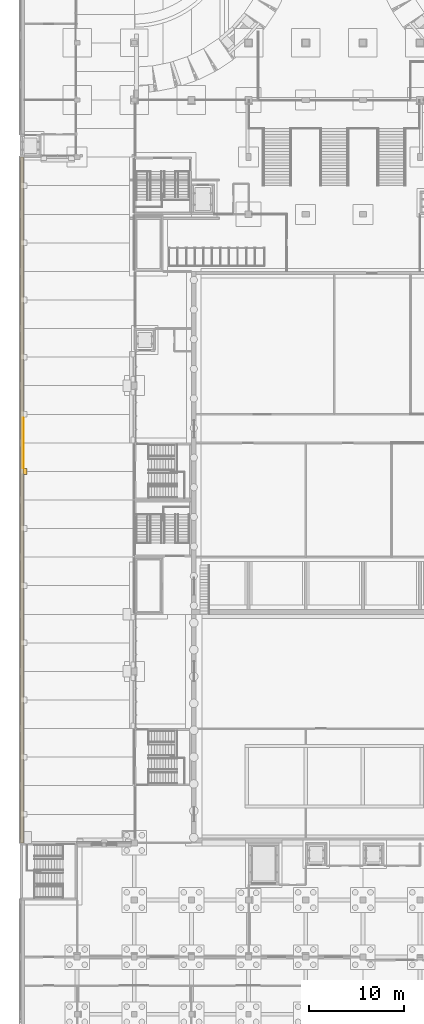
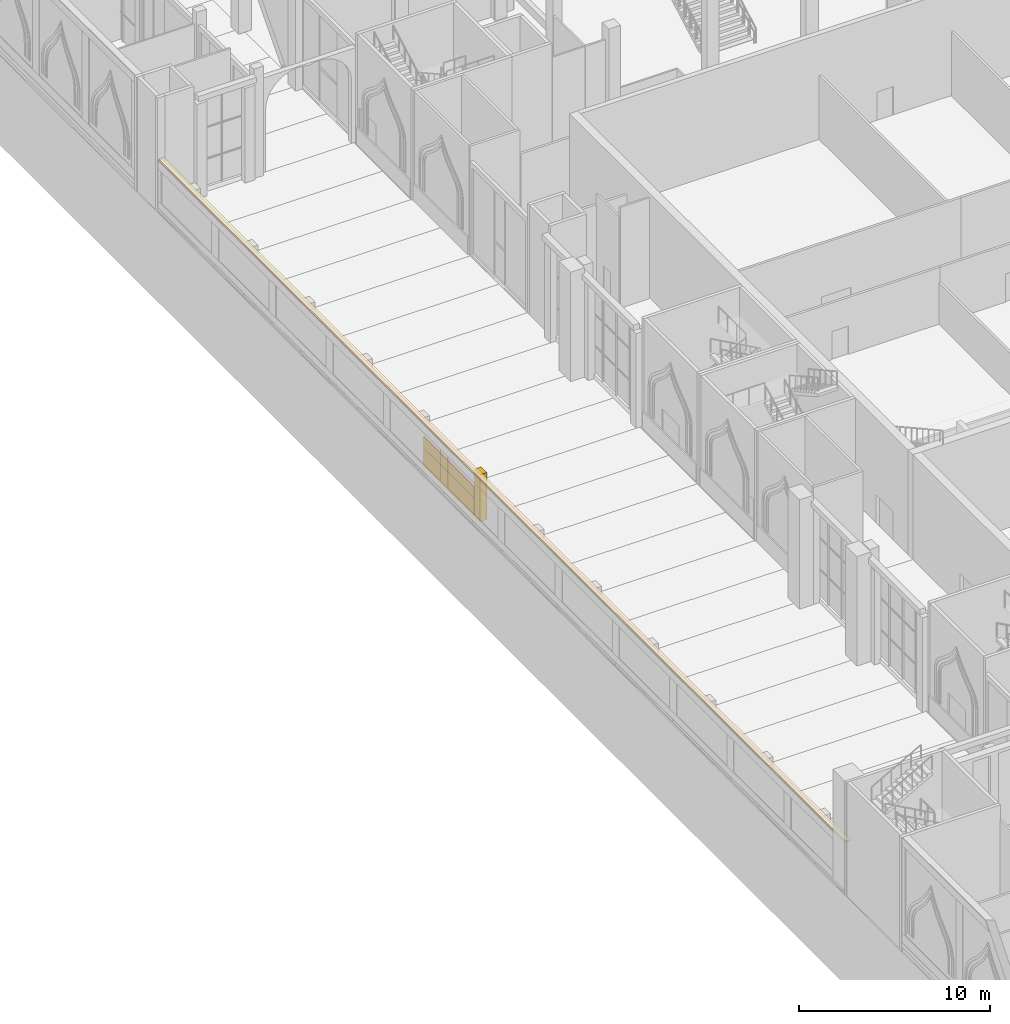
# One storey, part 77 of 95: 4 coverings.
"""IFC4 building model written with IfcOpenShell, lengths in metres."""

from ifc_helpers import new_model, si_unit, direction, frame, origin, origin_2d, place, context, subcontext, project, spatial, rectangle, extrude, material, layer, layer_set, type_object, element, save


model = new_model("IFC4")

# Units and contexts
model_context = context("Model", 3, precision=1e-05, world=origin(), true_north=direction((0.0, 1.0)))
body_context = subcontext(model_context, "Body", "Model", "MODEL_VIEW")
ifc_project = project(units=[si_unit("LENGTHUNIT", "METRE"), si_unit("AREAUNIT", "SQUARE_METRE"), si_unit("VOLUMEUNIT", "CUBIC_METRE"), si_unit("PLANEANGLEUNIT", "RADIAN"), si_unit("MASSUNIT", "GRAM", prefix="KILO")], contexts=[model_context])

# Site, building, storey
site_placement = place(None, origin())
site = spatial("IfcSite", under=ifc_project, at=site_placement, CompositionType="ELEMENT")
building_placement = place(site_placement, origin())
building = spatial("IfcBuilding", under=site, at=building_placement, Name="Saffron Lane Theatres", CompositionType="ELEMENT")
storey_placement = place(building_placement, origin())
storey = spatial("IfcBuildingStorey", under=building, at=storey_placement, Name="L00", CompositionType="ELEMENT", Elevation=0.0)

# Coverings
ifc_material_1 = material(Name="Masonry sandstone", Category="masonry")
ifc_layer_1 = layer(ifc_material_1, 0.0400390625)
ifc_layer_set_1 = layer_set([ifc_layer_1], Name="Masonry sandstone")
covering_type_1 = type_object("IfcCoveringType", Name="EX-BANDING COURSE SANDSTONE 40", PredefinedType="CLADDING", material=ifc_layer_set_1)
covering_1_placement = place(storey_placement, frame((0.330078125, 72.0, 1.10009765625), z_axis=(0.0, 0.0, 1.0), x_axis=(0.0, 1.0, 0.0)))
element("IfcCovering", 1, at=covering_1_placement, inside=storey, type_object=covering_type_1, Name="Banding course L00", PredefinedType="CLADDING", context=body_context, shape_type="SweptSolid", body=[
    extrude(rectangle(XDim=5.300048828125, YDim=0.0400390625, at=origin_2d()), origin(), (0.0, 0.0, 1.0), 0.75),
])
ifc_material_2 = material(Name="Masonry sandstone", Category="masonry")
covering_type_2 = type_object("IfcCoveringType", Name="EX-BOUNDARY COPING SANDSTONE 100", PredefinedType="CLADDING", material=ifc_material_2)
covering_2_placement = place(storey_placement, frame((0.22509765625, 66.0, 3.0), z_axis=(0.0, 0.0, 1.0), x_axis=(0.0, 1.0, 0.0)))
element("IfcCovering", 2, at=covering_2_placement, inside=storey, type_object=covering_type_2, Name="Boundary wall coping L00", PredefinedType="CLADDING", context=body_context, shape_type="SweptSolid", body=[
    extrude(rectangle(XDim=72.0, YDim=0.330078125, at=origin_2d()), origin(), (0.0, 0.0, 1.0), 0.10009765625),
])
ifc_material_3 = material(Name="Masonry sandstone", Category="masonry")
ifc_layer_2 = layer(ifc_material_3, 0.39990234375)
ifc_layer_set_2 = layer_set([ifc_layer_2], Name="Masonry sandstone")
covering_type_3 = type_object("IfcCoveringType", Name="EX-BOUNDARY PILASTER SANDSTONE 400", PredefinedType="CLADDING", material=ifc_layer_set_2)
covering_3_placement = place(storey_placement, frame((0.510009765625, 69.0, 0.0), z_axis=(0.0, 0.0, 1.0), x_axis=(0.0, 1.0, 0.0)))
element("IfcCovering", 3, at=covering_3_placement, inside=storey, type_object=covering_type_3, Name="Boundary wall pilaster L00", PredefinedType="CLADDING", context=body_context, shape_type="SweptSolid", body=[
    extrude(rectangle(XDim=0.60009765625, YDim=0.39990234375, at=origin_2d()), origin(), (0.0, 0.0, 1.0), 3.0),
])
ifc_material_4 = material(Name="Masonry sandstone", Category="masonry")
ifc_layer_3 = layer(ifc_material_4, 0.070068359375)
ifc_layer_set_3 = layer_set([ifc_layer_3], Name="Masonry sandstone")
covering_type_4 = type_object("IfcCoveringType", Name="EX-PLINTH COURSE SANDSTONE 70", PredefinedType="CLADDING", material=ifc_layer_set_3)
covering_4_placement = place(storey_placement, frame((0.344970703125, 72.0, 0.0), z_axis=(0.0, 0.0, 1.0), x_axis=(0.0, 1.0, 0.0)))
element("IfcCovering", 4, at=covering_4_placement, inside=storey, type_object=covering_type_4, Name="Plinth course L00", PredefinedType="CLADDING", context=body_context, shape_type="SweptSolid", body=[
    extrude(rectangle(XDim=5.300048828125, YDim=0.070068359375, at=origin_2d()), origin(), (0.0, 0.0, 1.0), 1.10009765625),
])

save(model, "model.ifc")
